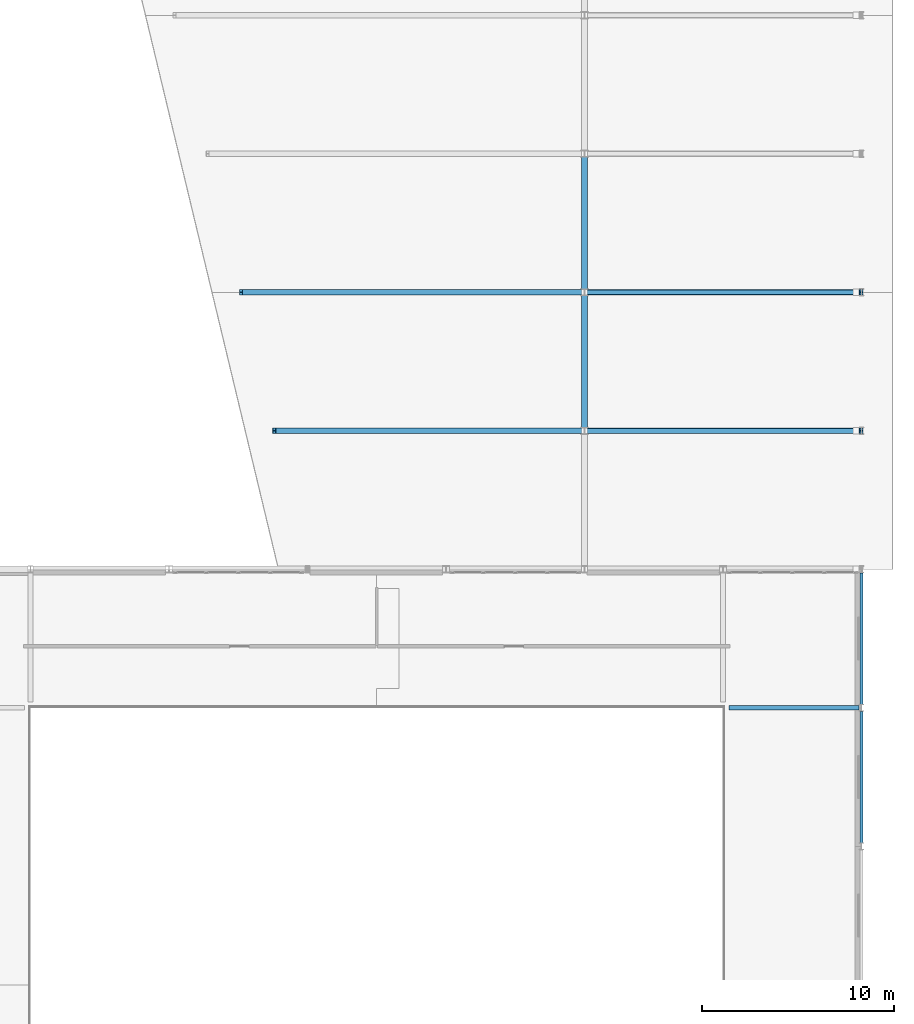
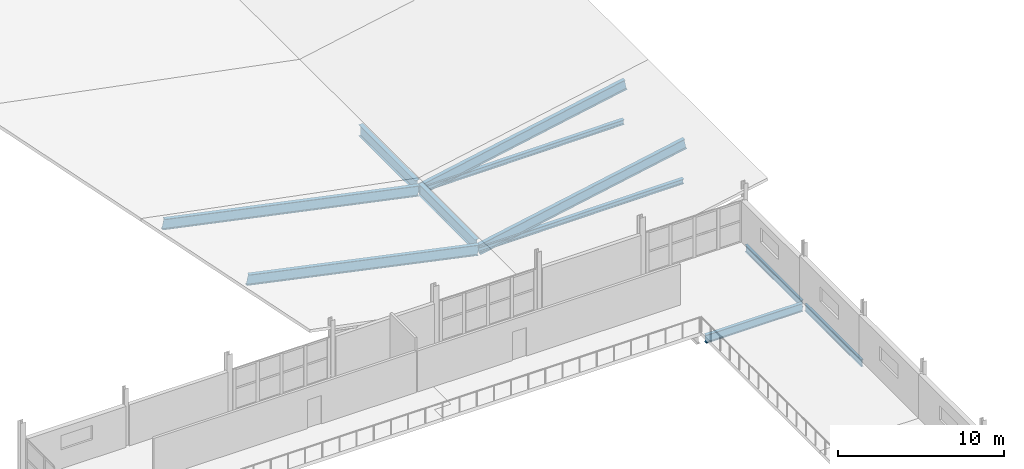
# One storey, part 56 of 94: 9 beams, 2 members.
"""IFC4 building model written with IfcOpenShell, lengths in metres."""

from ifc_helpers import new_model, si_unit, direction, frame, origin, origin_2d, place, context, subcontext, project, spatial, i_section, extrude, material, material_profile, profile_set, type_object, element, save


model = new_model("IFC4")

# Units and contexts
model_context = context("Model", 3, precision=1e-05, world=origin(), true_north=direction((0.0, 1.0)))
body_context = subcontext(model_context, "Body", "Model", "MODEL_VIEW")
ifc_project = project(units=[si_unit("LENGTHUNIT", "METRE"), si_unit("AREAUNIT", "SQUARE_METRE"), si_unit("VOLUMEUNIT", "CUBIC_METRE"), si_unit("PLANEANGLEUNIT", "RADIAN"), si_unit("MASSUNIT", "GRAM", prefix="KILO")], contexts=[model_context])

# Site, building, storey
site_placement = place(None, origin())
site = spatial("IfcSite", under=ifc_project, at=site_placement, CompositionType="ELEMENT")
building_placement = place(site_placement, origin())
building = spatial("IfcBuilding", under=site, at=building_placement, Name="Kalmorath City Hall", CompositionType="ELEMENT")
storey_placement = place(building_placement, frame((0.0, 0.0, 14.699951171875)))
storey = spatial("IfcBuildingStorey", under=building, at=storey_placement, Name="L03", CompositionType="ELEMENT", Elevation=14.699951171875)

# Members
ifc_material_1 = material(Name="Steel ASTM A992 Grade 50", Category="steel")
ifc_material_profile_1 = material_profile(ifc_material_1, i_section(OverallWidth=0.256103515625, OverallDepth=0.360107421875, WebThickness=0.011474609375, FlangeThickness=0.02001953125, FilletRadius=0.014892578125, at=origin_2d()), Name="W14X74")
ifc_profile_set_1 = profile_set([ifc_material_profile_1], Name="Steel ASTM A992 Grade 50")
member_type = type_object("IfcMemberType", Name="Steel butterfly V-strut W14X74", PredefinedType="BRACE", material=ifc_profile_set_1)
for number, where, z_axis, x_axis, name in (
    (1, (165.471923828125, 50.39990234375, 0.0), (-0.999984355294, 0.0, -0.00559367211), (0.0, -1.0, 0.0), "Library butterfly V-strut BR6-2"),
    (2, (165.471923828125, 57.60009765625, 0.0), (-0.999984355294, 0.0, -0.00559367211), (0.0, -1.0, 0.0), "Library butterfly V-strut BR6-3"),
):
    element("IfcMember", number, at=place(storey_placement, frame(where, z_axis=z_axis, x_axis=x_axis)), inside=storey, type_object=member_type, Name=name, PredefinedType="BRACE", context=body_context, shape_type="SweptSolid", body=[
        extrude(i_section(OverallWidth=0.256103515625, OverallDepth=0.360107421875, WebThickness=0.011474609375, FlangeThickness=0.02001953125, FilletRadius=0.014892578125, at=origin_2d()), origin(), (0.0, 0.0, 1.0), 14.272216796875),
    ])

# Beams
ifc_material_2 = material(Name="Steel ASTM A992 Grade 50", Category="steel")
ifc_material_profile_2 = material_profile(ifc_material_2, i_section(OverallWidth=0.26611328125, OverallDepth=0.758056640625, WebThickness=0.013916015625, FlangeThickness=0.019287109375, FilletRadius=0.02001953125, at=origin_2d()), Name="W30X108")
ifc_profile_set_2 = profile_set([ifc_material_profile_2], Name="Steel ASTM A992 Grade 50")
beam_type_1 = type_object("IfcBeamType", Name="Steel butterfly roof girder W30X108", PredefinedType="BEAM", material=ifc_profile_set_2)
beam_1_placement = place(storey_placement, frame((135.0712890625, 50.39990234375, 3.34521484375), z_axis=(0.978187103123, 0.0, -0.207725759801), x_axis=(0.0, 1.0, 0.0)))
element("IfcBeam", 3, at=beam_1_placement, inside=storey, type_object=beam_type_1, Name="Library butterfly west girder SG4-2", PredefinedType="BEAM", context=body_context, shape_type="SweptSolid", body=[
    extrude(i_section(OverallWidth=0.26611328125, OverallDepth=0.758056640625, WebThickness=0.013916015625, FlangeThickness=0.019287109375, FilletRadius=0.02001953125, at=origin_2d()), origin(), (0.0, 0.0, 1.0), 16.48828125),
])
beam_2_placement = place(storey_placement, frame((151.199951171875, 50.39990234375, -0.079833984375), z_axis=(0.981618247843, 0.0, 0.190854959332), x_axis=(0.0, 1.0, 0.0)))
element("IfcBeam", 4, at=beam_2_placement, inside=storey, type_object=beam_type_1, Name="Library butterfly east girder SG4-2", PredefinedType="BEAM", context=body_context, shape_type="SweptSolid", body=[
    extrude(i_section(OverallWidth=0.26611328125, OverallDepth=0.758056640625, WebThickness=0.013916015625, FlangeThickness=0.019287109375, FilletRadius=0.02001953125, at=origin_2d()), origin(), (0.0, 0.0, 1.0), 14.669921875),
])
beam_3_placement = place(storey_placement, frame((133.343017578125, 57.60009765625, 3.68212890625), z_axis=(0.978520960457, 0.0, -0.206147350082), x_axis=(0.0, 1.0, 0.0)))
element("IfcBeam", 5, at=beam_3_placement, inside=storey, type_object=beam_type_1, Name="Library butterfly west girder SG4-3", PredefinedType="BEAM", context=body_context, shape_type="SweptSolid", body=[
    extrude(i_section(OverallWidth=0.26611328125, OverallDepth=0.758056640625, WebThickness=0.013916015625, FlangeThickness=0.019287109375, FilletRadius=0.02001953125, at=origin_2d()), origin(), (0.0, 0.0, 1.0), 18.2490234375),
])
beam_4_placement = place(storey_placement, frame((151.199951171875, 57.60009765625, -0.079833984375), z_axis=(0.981618247843, 0.0, 0.190854959332), x_axis=(0.0, 1.0, 0.0)))
element("IfcBeam", 6, at=beam_4_placement, inside=storey, type_object=beam_type_1, Name="Library butterfly east girder SG4-3", PredefinedType="BEAM", context=body_context, shape_type="SweptSolid", body=[
    extrude(i_section(OverallWidth=0.26611328125, OverallDepth=0.758056640625, WebThickness=0.013916015625, FlangeThickness=0.019287109375, FilletRadius=0.02001953125, at=origin_2d()), origin(), (0.0, 0.0, 1.0), 14.669921875),
])
ifc_material_3 = material(Name="Steel ASTM A992 Grade 50", Category="steel")
ifc_material_profile_3 = material_profile(ifc_material_3, i_section(OverallWidth=0.22802734375, OverallDepth=0.60302734375, WebThickness=0.010498046875, FlangeThickness=0.014892578125, FilletRadius=0.01611328125, at=origin_2d()), Name="W24X68")
ifc_profile_set_3 = profile_set([ifc_material_profile_3], Name="Steel ASTM A992 Grade 50")
beam_type_2 = type_object("IfcBeamType", Name="Steel floor girder W24X68", PredefinedType="BEAM", material=ifc_profile_set_3)
beam_5_placement = place(storey_placement, frame((158.699951171875, 36.0, -0.5654296875), z_axis=(1.0, 0.0, 0.0), x_axis=(0.0, 1.0, 0.0)))
element("IfcBeam", 7, at=beam_5_placement, inside=storey, type_object=beam_type_2, Name="L03 girder SG9 X23-24/6", PredefinedType="BEAM", context=body_context, shape_type="SweptSolid", body=[
    extrude(i_section(OverallWidth=0.22802734375, OverallDepth=0.60302734375, WebThickness=0.010498046875, FlangeThickness=0.014892578125, FilletRadius=0.01611328125, at=origin_2d()), origin(), (0.0, 0.0, 1.0), 6.77197265625),
])
ifc_material_4 = material(Name="Steel ASTM A992 Grade 50", Category="steel")
ifc_material_profile_4 = material_profile(ifc_material_4, i_section(OverallWidth=0.2919921875, OverallDepth=0.841064453125, WebThickness=0.0146484375, FlangeThickness=0.021728515625, FilletRadius=0.02197265625, at=origin_2d()), Name="W33X130")
ifc_profile_set_4 = profile_set([ifc_material_profile_4], Name="Steel ASTM A992 Grade 50")
beam_type_3 = type_object("IfcBeamType", Name="Steel primary girder W33X130", PredefinedType="BEAM", material=ifc_profile_set_4)
for number, where, z_axis, x_axis, name in (
    (8, (151.199951171875, 50.574951171875, 0.1201171875), (0.0, 1.0, 0.0), (-1.0, 0.0, 0.0), "Library butterfly valley girder SG2-2"),
    (9, (151.199951171875, 57.77490234375, 0.1201171875), (0.0, 1.0, 0.0), (-1.0, 0.0, 0.0), "Library butterfly valley girder SG2-3"),
):
    element("IfcBeam", number, at=place(storey_placement, frame(where, z_axis=z_axis, x_axis=x_axis)), inside=storey, type_object=beam_type_3, Name=name, PredefinedType="BEAM", context=body_context, shape_type="SweptSolid", body=[
        extrude(i_section(OverallWidth=0.2919921875, OverallDepth=0.841064453125, WebThickness=0.0146484375, FlangeThickness=0.021728515625, FilletRadius=0.02197265625, at=origin_2d()), origin(), (0.0, 0.0, 1.0), 6.85009765625),
    ])
ifc_material_5 = material(Name="Steel ASTM A992 Grade 50", Category="steel")
ifc_material_profile_5 = material_profile(ifc_material_5, i_section(OverallWidth=0.1650390625, OverallDepth=0.52490234375, WebThickness=0.0087890625, FlangeThickness=0.011474609375, FilletRadius=0.014892578125, at=origin_2d()), Name="W21X44")
ifc_profile_set_5 = profile_set([ifc_material_profile_5], Name="Steel ASTM A992 Grade 50")
beam_type_4 = type_object("IfcBeamType", Name="Steel spandrel beam W21X44", PredefinedType="SPANDREL", material=ifc_profile_set_5)
for number, where, z_axis, x_axis, name in (
    (10, (165.60009765625, 28.97998046875, -0.5263671875), (0.0, 1.0, 0.0), (-1.0, 0.0, 0.0), "L03 girder SB4 Y24/5-6"),
    (11, (165.60009765625, 36.179931640625, -0.5263671875), (0.0, 1.0, 0.0), (-1.0, 0.0, 0.0), "L03 girder SB4 Y24/6-7"),
):
    element("IfcBeam", number, at=place(storey_placement, frame(where, z_axis=z_axis, x_axis=x_axis)), inside=storey, type_object=beam_type_4, Name=name, PredefinedType="SPANDREL", context=body_context, shape_type="SweptSolid", body=[
        extrude(i_section(OverallWidth=0.1650390625, OverallDepth=0.52490234375, WebThickness=0.0087890625, FlangeThickness=0.011474609375, FilletRadius=0.014892578125, at=origin_2d()), origin(), (0.0, 0.0, 1.0), 6.840087890625),
    ])

save(model, "model.ifc")
